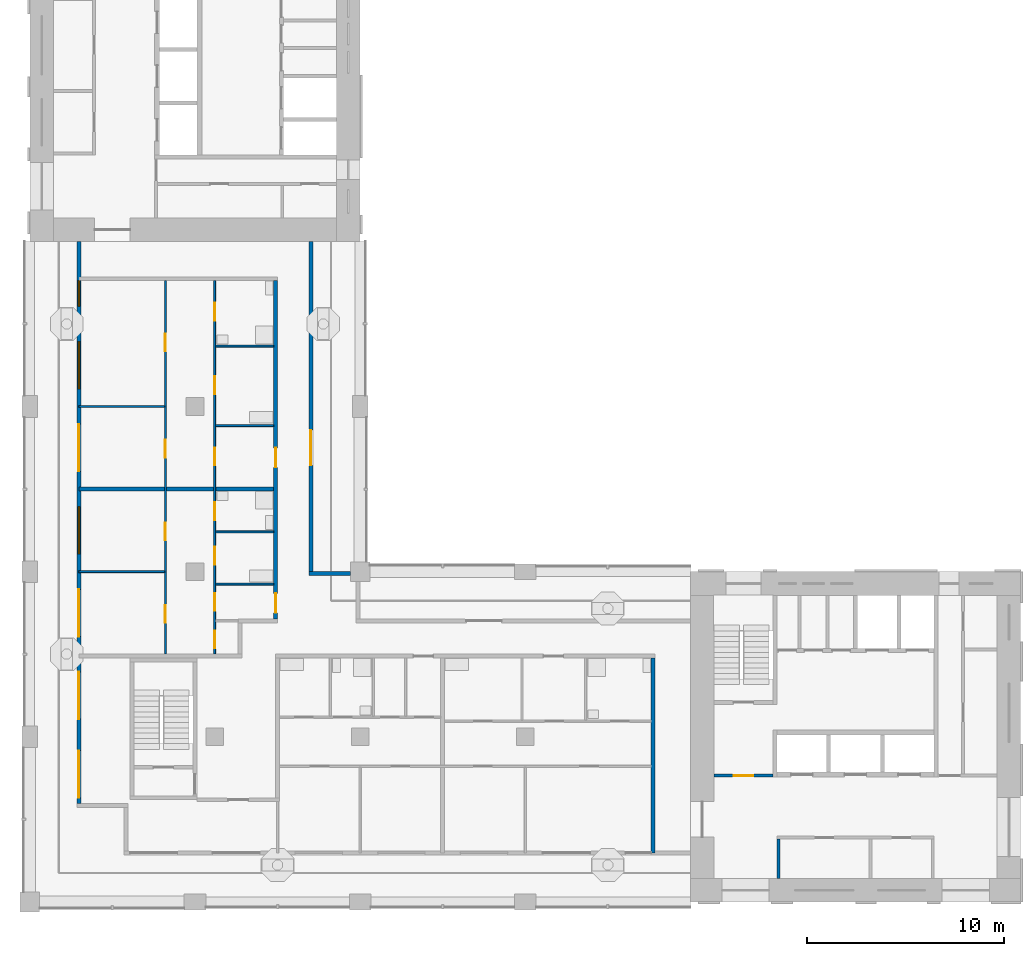
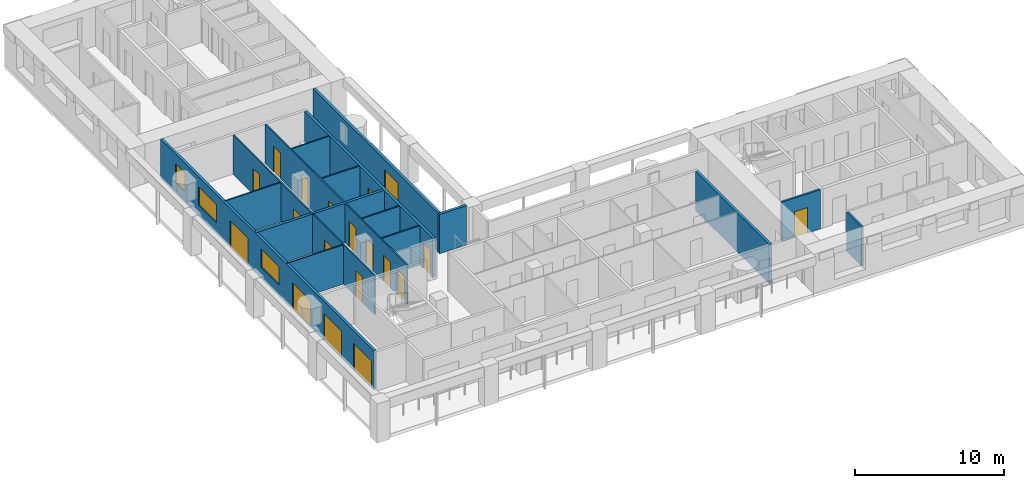
# One storey, part 3 of 12: 19 doors, 16 walls, 3 windows, 22 openings.
"""IFC4 building model written with IfcOpenShell, lengths in metres."""

import ifcopenshell
import ifcopenshell.guid

model = None  # the IFC model being written
_history = None  # IfcOwnerHistory: only IFC2X3 demands one
_inside = {}  # id of a spatial element -> (the spatial element, [elements in it])
_under = {}  # id of a project, library or spatial element -> (it, [spatial elements below it])
_declared = {}  # id of a project -> (the project, [libraries it declares])
_typed = {}  # id of a type object -> (the type object, [elements of that type])
_made_of = {}  # id of a material, layer set ... -> (it, [elements and type objects made of it])


def new_model(schema):
    """Start an empty IFC model of exactly this schema.

    Asked for "IFC4X3", IfcOpenShell would pick the latest addendum, in which some entities
    have other attributes; the version numbers below select the first issue.
    IFC2X3 requires an IfcOwnerHistory on every rooted entity: one is made here for all.
    """
    global model, _history
    if schema == "IFC4X3":
        model = ifcopenshell.file(schema_version=(4, 3, 0, 0))
    else:
        model = ifcopenshell.file(schema=schema)
    _inside.clear()
    _under.clear()
    _declared.clear()
    _typed.clear()
    _made_of.clear()
    _history = None
    if model.schema == "IFC2X3":
        org = make("IfcOrganization", Name="unknown")
        user = make(
            "IfcPersonAndOrganization",
            ThePerson=make("IfcPerson", FamilyName="unknown"),
            TheOrganization=org,
        )
        app = make(
            "IfcApplication",
            ApplicationDeveloper=org,
            Version="unknown",
            ApplicationFullName="unknown",
            ApplicationIdentifier="unknown",
        )
        _history = make(
            "IfcOwnerHistory",
            OwningUser=user,
            OwningApplication=app,
            ChangeAction="ADDED",
            CreationDate=0,
        )
    return model


def make(cls, **values):
    """One entity of the class cls with the attributes given. An attribute that is None is left unset."""
    return model.create_entity(
        cls, **{name: value for name, value in values.items() if value is not None}
    )


def rooted(cls, **values):
    """An entity with a GlobalId (a new one), such as an element, a storey or a relation."""
    return make(cls, GlobalId=ifcopenshell.guid.new(), OwnerHistory=_history, **values)


def si_unit(unit_type, name, prefix=None):
    """IfcSIUnit, for example si_unit("LENGTHUNIT", "METRE", prefix="MILLI")."""
    return make("IfcSIUnit", UnitType=unit_type, Prefix=prefix, Name=name)


def assignment(units):
    """IfcUnitAssignment: the units of a project."""
    return None if units is None else make("IfcUnitAssignment", Units=units)


def point(xyz):
    """IfcCartesianPoint."""
    return None if xyz is None else make("IfcCartesianPoint", Coordinates=xyz)


def direction(xyz):
    """IfcDirection."""
    return None if xyz is None else make("IfcDirection", DirectionRatios=xyz)


def frame(location, z_axis=None, x_axis=None):
    """IfcAxis2Placement3D, a coordinate frame: its origin and axes. An axis left out is left unset."""
    return make(
        "IfcAxis2Placement3D",
        Location=point(location),
        Axis=direction(z_axis),
        RefDirection=direction(x_axis),
    )


def frame_2d(location, x_axis=None):
    """IfcAxis2Placement2D, a coordinate frame in the plane: its origin and x axis."""
    return make(
        "IfcAxis2Placement2D", Location=point(location), RefDirection=direction(x_axis)
    )


def origin():
    """The frame at (0, 0, 0) with its axes left unset."""
    return frame((0.0, 0.0, 0.0))


def place(relative_to, where):
    """IfcLocalPlacement: puts the frame where relative to a parent placement (None: the world)."""
    return make(
        "IfcLocalPlacement", PlacementRelTo=relative_to, RelativePlacement=where
    )


def context(
    kind, dimensions, precision=None, world=None, true_north=None, identifier=None
):
    """IfcGeometricRepresentationContext, for example the 3D "Model" context."""
    return make(
        "IfcGeometricRepresentationContext",
        ContextIdentifier=identifier,
        ContextType=kind,
        CoordinateSpaceDimension=dimensions,
        Precision=precision,
        WorldCoordinateSystem=world,
        TrueNorth=true_north,
    )


def subcontext(parent, identifier, kind, view, scale=None):
    """IfcGeometricRepresentationSubContext, for example "Body" below "Model"."""
    return make(
        "IfcGeometricRepresentationSubContext",
        ContextIdentifier=identifier,
        ContextType=kind,
        ParentContext=parent,
        TargetScale=scale,
        TargetView=view,
    )


def project(units=None, contexts=None):
    """IfcProject with its units and contexts."""
    return rooted(
        "IfcProject",
        Name="project",
        RepresentationContexts=contexts,
        UnitsInContext=assignment(units),
    )


def spatial(cls, under=None, at=None, **own):
    """A site, building, storey or space (cls), placed at a placement, below another one or the project."""
    s = rooted(cls, ObjectPlacement=at, **own)
    if under is not None:
        _under.setdefault(under.id(), (under, []))[1].append(s)
    return s


def profile(cls, at=None, kind="AREA", **sizes):
    """A parametric profile (cls). Its sizes go by their IFC names, for example OverallWidth=200.0."""
    return make(cls, ProfileType=kind, Position=at, **sizes)


def rectangle(**sizes):
    """IfcRectangleProfileDef."""
    return profile("IfcRectangleProfileDef", **sizes)


def extrude(swept, where, along, depth):
    """IfcExtrudedAreaSolid: the profile swept, set in the frame where, extruded along a direction by depth."""
    return make(
        "IfcExtrudedAreaSolid",
        SweptArea=swept,
        Position=where,
        ExtrudedDirection=direction(along),
        Depth=depth,
    )


def shape(context_of_items, identifier, shape_type, items):
    """IfcShapeRepresentation: the items that make up one representation, for example the "Body"."""
    return make(
        "IfcShapeRepresentation",
        ContextOfItems=context_of_items,
        RepresentationIdentifier=identifier,
        RepresentationType=shape_type,
        Items=items,
    )


def material(Name=None, Category=None):
    """IfcMaterial."""
    return make("IfcMaterial", Name=Name, Category=Category)


def layer(
    of_material, thickness, ventilated=None, Name=None, Category=None, Priority=None
):
    """IfcMaterialLayer: one layer of a wall or slab, of a material (None: an air gap)."""
    return make(
        "IfcMaterialLayer",
        Material=of_material,
        LayerThickness=thickness,
        IsVentilated=ventilated,
        Name=Name,
        Category=Category,
        Priority=Priority,
    )


def layer_set(layers, Name=None):
    """IfcMaterialLayerSet."""
    return make("IfcMaterialLayerSet", MaterialLayers=layers, LayerSetName=Name)


def made_of(thing, what):
    """Note that an element or type object is made of a material, layer set ...; save() writes the relation."""
    if what is not None:
        _made_of.setdefault(what.id(), (what, []))[1].append(thing)
    return thing


def type_object(cls, material=None, **own):
    """A type object (cls), such as IfcWallType, which elements share."""
    return made_of(rooted(cls, **own), material)


def element(
    cls,
    number,
    at=None,
    inside=None,
    cuts=None,
    type_object=None,
    material=None,
    context=None,
    identifier="Body",
    shape_type=None,
    held_by="IfcProductDefinitionShape",
    body=None,
    shapes=None,
    **own,
):
    """One element of the class cls, such as IfcWall. Its Tag is "e" and its number.

    at: its placement. inside: the storey or other place that contains it. cuts: it is an
    opening in that element (IfcRelVoidsElement). A single representation is given by context,
    identifier, shape_type and body (its items); several are given by shapes. held_by: the class
    of the entity that holds the representations. save() writes the other relations.
    """
    e = rooted(cls, Tag="e%d" % number, ObjectPlacement=at, **own)
    if body is not None:
        shapes = [shape(context, identifier, shape_type, body)]
    if shapes is not None:
        e.Representation = make(held_by, Representations=shapes)
    if inside is not None:
        _inside.setdefault(inside.id(), (inside, []))[1].append(e)
    if cuts is not None:
        rooted(
            "IfcRelVoidsElement", RelatingBuildingElement=cuts, RelatedOpeningElement=e
        )
    if type_object is not None:
        _typed.setdefault(type_object.id(), (type_object, []))[1].append(e)
    return made_of(e, material)


def fill(opening, filler):
    """IfcRelFillsElement: the door or window that sits in an opening."""
    return rooted(
        "IfcRelFillsElement",
        RelatingOpeningElement=opening,
        RelatedBuildingElement=filler,
    )


def aggregate(whole, parts):
    """IfcRelAggregates: a whole, such as a stair, and the parts it consists of."""
    return rooted("IfcRelAggregates", RelatingObject=whole, RelatedObjects=parts)


def save(model, path):
    """Write the relations noted so far, then the file.

    IfcRelAggregates (storeys below a building ...), IfcRelContainedInSpatialStructure (elements
    in a storey), IfcRelDefinesByType, IfcRelAssociatesMaterial and IfcRelDeclares: one each for
    every whole, place, type object, material and project.
    """
    for whole, parts in _under.values():
        aggregate(whole, parts)
    for where, things in _inside.values():
        rooted(
            "IfcRelContainedInSpatialStructure",
            RelatedElements=things,
            RelatingStructure=where,
        )
    for kind, things in _typed.values():
        rooted("IfcRelDefinesByType", RelatedObjects=things, RelatingType=kind)
    for what, things in _made_of.values():
        rooted("IfcRelAssociatesMaterial", RelatedObjects=things, RelatingMaterial=what)
    for by, libraries in _declared.values():
        rooted("IfcRelDeclares", RelatingContext=by, RelatedDefinitions=libraries)
    model.write(path)


model = new_model("IFC4")

# Units and contexts
model_context = context("Model", 3, precision=1e-05, world=origin(), true_north=direction((0.0, 1.0)))
body_context = subcontext(model_context, "Body", "Model", "MODEL_VIEW")
ifc_project = project(units=[si_unit("LENGTHUNIT", "METRE"), si_unit("AREAUNIT", "SQUARE_METRE"), si_unit("VOLUMEUNIT", "CUBIC_METRE"), si_unit("PLANEANGLEUNIT", "RADIAN"), si_unit("MASSUNIT", "GRAM", prefix="KILO")], contexts=[model_context])

# Site, building, storey
site_placement = place(None, origin())
site = spatial("IfcSite", under=ifc_project, at=site_placement, CompositionType="ELEMENT")
building_placement = place(site_placement, origin())
building = spatial("IfcBuilding", under=site, at=building_placement, Name="Vermilion Gate Residences", CompositionType="ELEMENT")
storey_placement = place(building_placement, frame((0.0, 0.0, 221.199951171875)))
storey = spatial("IfcBuildingStorey", under=building, at=storey_placement, Name="L57", CompositionType="ELEMENT", Elevation=221.199951171875)

# Wall
ifc_material_1 = material(Name="Masonry blockwork", Category="masonry")
ifc_layer_1 = layer(ifc_material_1, 0.14990234375)
ifc_layer_set_1 = layer_set([ifc_layer_1], Name="BLOCKWORK PARTITION 150 EI 120")
wall_type_1 = type_object("IfcWallType", Name="BLOCKWORK PARTITION 150 EI 120", PredefinedType="PARTITIONING", material=ifc_layer_set_1)
wall_1_placement = place(storey_placement, frame((46.47509765625, 9.60009765625, 0.0), z_axis=(0.0, 0.0, 1.0), x_axis=(0.0, 1.0, 0.0)))
element("IfcWall", 1, at=wall_1_placement, inside=storey, type_object=wall_type_1, Name="Core room partition A57-RW-W", PredefinedType="PARTITIONING", context=body_context, shape_type="SweptSolid", body=[
    extrude(rectangle(XDim=2.0, YDim=0.14990234375, at=frame_2d((1.0, 0.0))), origin(), (0.0, 0.0, 1.0), 3.219970703125),
])

# Wall, opening, door
wall_2_placement = place(storey_placement, frame((43.199951171875, 14.824951171875, 0.0), z_axis=(0.0, 0.0, 1.0), x_axis=(1.0, 0.0, 0.0)))
wall_2 = element("IfcWall", 2, at=wall_2_placement, inside=storey, type_object=wall_type_1, Name="Core room partition A57-VW-S", PredefinedType="PARTITIONING", context=body_context, shape_type="SweptSolid", body=[
    extrude(rectangle(XDim=3.0, YDim=0.14990234375, at=frame_2d((1.5, 0.0))), origin(), (0.0, 0.0, 1.0), 3.219970703125),
])
opening_1_placement = place(wall_2_placement, frame((1.0, 0.0, 0.0)))
opening_1 = element("IfcOpeningElement", 3, at=opening_1_placement, cuts=wall_2, Name="Opening DK57012", PredefinedType="OPENING", context=body_context, shape_type="SweptSolid", body=[
    extrude(rectangle(XDim=1.0, YDim=2.10009765625, at=frame_2d((0.5, 1.050048828125))), frame((0.0, 0.0849609375, 0.0), z_axis=(0.0, -1.0, 0.0), x_axis=(1.0, 0.0, 0.0)), (0.0, 0.0, 1.0), 0.169921875),
])
ifc_material_2 = material(Name="Steel", Category="steel")
door_type_1 = type_object("IfcDoorType", Name="FIRE DOOR FD60 1000 X 2100", OperationType="SINGLE_SWING_LEFT", PredefinedType="DOOR", material=ifc_material_2)
door_1_placement = place(opening_1_placement, frame((1.0, 0.0, 0.0), z_axis=(0.0, 0.0, 1.0), x_axis=(-1.0, 0.0, 0.0)))
door_1 = element("IfcDoor", 4, at=door_1_placement, inside=storey, type_object=door_type_1, Name="Stair vestibule door A57", OperationType="SINGLE_SWING_RIGHT", OverallHeight=2.10009765625, OverallWidth=1.0, PredefinedType="DOOR", context=body_context, shape_type="SweptSolid", body=[
    extrude(rectangle(XDim=1.0, YDim=2.10009765625, at=frame_2d((0.5, 1.050048828125))), frame((0.0, 0.02490234375, 0.0), z_axis=(0.0, -1.0, 0.0), x_axis=(1.0, 0.0, 0.0)), (0.0, 0.0, 1.0), 0.050048828125),
])
fill(opening_1, door_1)

# Wall, openings, doors, windows
ifc_material_3 = material(Name="Insulated steel stud wall with terracotta rainscreen", Category="masonry")
ifc_layer_2 = layer(ifc_material_3, 0.199951171875)
ifc_layer_set_2 = layer_set([ifc_layer_2], Name="EXTERNAL WALL 200 TERRACOTTA RAINSCREEN")
wall_type_2 = type_object("IfcWallType", Name="EXTERNAL WALL 200 TERRACOTTA RAINSCREEN", PredefinedType="SOLIDWALL", material=ifc_layer_set_2)
wall_3_placement = place(storey_placement, frame((10.89990234375, 42.0, 0.0), z_axis=(0.0, 0.0, 1.0), x_axis=(0.0, -1.0, 0.0)))
wall_3 = element("IfcWall", 5, at=wall_3_placement, inside=storey, type_object=wall_type_2, Name="External wall", PredefinedType="SOLIDWALL", context=body_context, shape_type="SweptSolid", body=[
    extrude(rectangle(XDim=28.60009765625, YDim=0.199951171875, at=frame_2d((14.300048828125, 0.0))), origin(), (0.0, 0.0, 1.0), 3.219970703125),
])
opening_2_placement = place(wall_3_placement, frame((25.89990234375, 0.0, 0.0)))
opening_2 = element("IfcOpeningElement", 6, at=opening_2_placement, cuts=wall_3, Name="Opening DE57001", PredefinedType="OPENING", context=body_context, shape_type="SweptSolid", body=[
    extrude(rectangle(XDim=2.39990234375, YDim=2.199951171875, at=frame_2d((1.199951171875, 1.10009765625))), frame((0.0, 0.10986328125, 0.0), z_axis=(0.0, -1.0, 0.0), x_axis=(1.0, 0.0, 0.0)), (0.0, 0.0, 1.0), 0.219970703125),
])
opening_3_placement = place(wall_3_placement, frame((21.89990234375, 0.0, 0.0)))
opening_3 = element("IfcOpeningElement", 7, at=opening_3_placement, cuts=wall_3, Name="Opening DE57002", PredefinedType="OPENING", context=body_context, shape_type="SweptSolid", body=[
    extrude(rectangle(XDim=2.39990234375, YDim=2.199951171875, at=frame_2d((1.199951171875, 1.10009765625))), frame((0.0, 0.10986328125, 0.0), z_axis=(0.0, -1.0, 0.0), x_axis=(1.0, 0.0, 0.0)), (0.0, 0.0, 1.0), 0.219970703125),
])
opening_4_placement = place(wall_3_placement, frame((17.699951171875, 0.0, 0.0)))
opening_4 = element("IfcOpeningElement", 8, at=opening_4_placement, cuts=wall_3, Name="Opening DE57003", PredefinedType="OPENING", context=body_context, shape_type="SweptSolid", body=[
    extrude(rectangle(XDim=2.39990234375, YDim=2.199951171875, at=frame_2d((1.199951171875, 1.10009765625))), frame((0.0, 0.10986328125, 0.0), z_axis=(0.0, -1.0, 0.0), x_axis=(1.0, 0.0, 0.0)), (0.0, 0.0, 1.0), 0.219970703125),
])
opening_5_placement = place(wall_3_placement, frame((13.5, 0.0, 0.89990234375)))
opening_5 = element("IfcOpeningElement", 9, at=opening_5_placement, cuts=wall_3, Name="Opening WE57004", PredefinedType="OPENING", context=body_context, shape_type="SweptSolid", body=[
    extrude(rectangle(XDim=2.39990234375, YDim=1.5, at=frame_2d((1.199951171875, 0.75))), frame((0.0, 0.10986328125, 0.0), z_axis=(0.0, -1.0, 0.0), x_axis=(1.0, 0.0, 0.0)), (0.0, 0.0, 1.0), 0.219970703125),
])
opening_6_placement = place(wall_3_placement, frame((9.300048828125, 0.0, 0.0)))
opening_6 = element("IfcOpeningElement", 10, at=opening_6_placement, cuts=wall_3, Name="Opening DE57005", PredefinedType="OPENING", context=body_context, shape_type="SweptSolid", body=[
    extrude(rectangle(XDim=2.39990234375, YDim=2.199951171875, at=frame_2d((1.199951171875, 1.10009765625))), frame((0.0, 0.10986328125, 0.0), z_axis=(0.0, -1.0, 0.0), x_axis=(1.0, 0.0, 0.0)), (0.0, 0.0, 1.0), 0.219970703125),
])
opening_7_placement = place(wall_3_placement, frame((5.10009765625, 0.0, 0.89990234375)))
opening_7 = element("IfcOpeningElement", 11, at=opening_7_placement, cuts=wall_3, Name="Opening WE57006", PredefinedType="OPENING", context=body_context, shape_type="SweptSolid", body=[
    extrude(rectangle(XDim=2.39990234375, YDim=1.5, at=frame_2d((1.199951171875, 0.75))), frame((0.0, 0.10986328125, 0.0), z_axis=(0.0, -1.0, 0.0), x_axis=(1.0, 0.0, 0.0)), (0.0, 0.0, 1.0), 0.219970703125),
])
opening_8_placement = place(wall_3_placement, frame((2.0, 0.0, 0.89990234375)))
opening_8 = element("IfcOpeningElement", 12, at=opening_8_placement, cuts=wall_3, Name="Opening WE57007", PredefinedType="OPENING", context=body_context, shape_type="SweptSolid", body=[
    extrude(rectangle(XDim=1.300048828125, YDim=1.5, at=frame_2d((0.64990234375, 0.75))), frame((0.0, 0.10986328125, 0.0), z_axis=(0.0, -1.0, 0.0), x_axis=(1.0, 0.0, 0.0)), (0.0, 0.0, 1.0), 0.219970703125),
])
ifc_material_4 = material(Name="Aluminium and clear glass", Category="aluminium")
door_type_2 = type_object("IfcDoorType", Name="SLIDING GLAZED DOOR 2400 X 2200", OperationType="DOUBLE_DOOR_SLIDING", PredefinedType="DOOR", material=ifc_material_4)
door_2_placement = place(opening_2_placement, origin())
door_2 = element("IfcDoor", 13, at=door_2_placement, inside=storey, type_object=door_type_2, Name="Loggia sliding door", OperationType="DOUBLE_DOOR_SLIDING", OverallHeight=2.199951171875, OverallWidth=2.39990234375, PredefinedType="DOOR", context=body_context, shape_type="SweptSolid", body=[
    extrude(rectangle(XDim=2.39990234375, YDim=2.199951171875, at=frame_2d((1.199951171875, 1.10009765625))), frame((0.0, 0.02490234375, 0.0), z_axis=(0.0, -1.0, 0.0), x_axis=(1.0, 0.0, 0.0)), (0.0, 0.0, 1.0), 0.050048828125),
])
fill(opening_2, door_2)
door_3_placement = place(opening_3_placement, origin())
door_3 = element("IfcDoor", 14, at=door_3_placement, inside=storey, type_object=door_type_2, Name="Loggia sliding door", OperationType="DOUBLE_DOOR_SLIDING", OverallHeight=2.199951171875, OverallWidth=2.39990234375, PredefinedType="DOOR", context=body_context, shape_type="SweptSolid", body=[
    extrude(rectangle(XDim=2.39990234375, YDim=2.199951171875, at=frame_2d((1.199951171875, 1.10009765625))), frame((0.0, 0.02490234375, 0.0), z_axis=(0.0, -1.0, 0.0), x_axis=(1.0, 0.0, 0.0)), (0.0, 0.0, 1.0), 0.050048828125),
])
fill(opening_3, door_3)
door_4_placement = place(opening_4_placement, origin())
door_4 = element("IfcDoor", 15, at=door_4_placement, inside=storey, type_object=door_type_2, Name="Loggia sliding door", OperationType="DOUBLE_DOOR_SLIDING", OverallHeight=2.199951171875, OverallWidth=2.39990234375, PredefinedType="DOOR", context=body_context, shape_type="SweptSolid", body=[
    extrude(rectangle(XDim=2.39990234375, YDim=2.199951171875, at=frame_2d((1.199951171875, 1.10009765625))), frame((0.0, 0.02490234375, 0.0), z_axis=(0.0, -1.0, 0.0), x_axis=(1.0, 0.0, 0.0)), (0.0, 0.0, 1.0), 0.050048828125),
])
fill(opening_4, door_4)
door_5_placement = place(opening_6_placement, origin())
door_5 = element("IfcDoor", 16, at=door_5_placement, inside=storey, type_object=door_type_2, Name="Loggia sliding door", OperationType="DOUBLE_DOOR_SLIDING", OverallHeight=2.199951171875, OverallWidth=2.39990234375, PredefinedType="DOOR", context=body_context, shape_type="SweptSolid", body=[
    extrude(rectangle(XDim=2.39990234375, YDim=2.199951171875, at=frame_2d((1.199951171875, 1.10009765625))), frame((0.0, 0.02490234375, 0.0), z_axis=(0.0, -1.0, 0.0), x_axis=(1.0, 0.0, 0.0)), (0.0, 0.0, 1.0), 0.050048828125),
])
fill(opening_6, door_5)
ifc_material_5 = material(Name="Aluminium and clear glass", Category="aluminium")
window_type_1 = type_object("IfcWindowType", Name="WINDOW 1300 X 1500", PartitioningType="SINGLE_PANEL", PredefinedType="WINDOW", material=ifc_material_5)
window_1_placement = place(opening_8_placement, origin())
window_1 = element("IfcWindow", 17, at=window_1_placement, inside=storey, type_object=window_type_1, Name="Window", OverallHeight=1.5, OverallWidth=1.300048828125, PartitioningType="SINGLE_PANEL", PredefinedType="WINDOW", context=body_context, shape_type="SweptSolid", body=[
    extrude(rectangle(XDim=1.300048828125, YDim=1.5, at=frame_2d((0.64990234375, 0.75))), frame((0.0, 0.030029296875, 0.0), z_axis=(0.0, -1.0, 0.0), x_axis=(1.0, 0.0, 0.0)), (0.0, 0.0, 1.0), 0.06005859375),
])
fill(opening_8, window_1)
ifc_material_6 = material(Name="Aluminium and clear glass", Category="aluminium")
window_type_2 = type_object("IfcWindowType", Name="WINDOW 2400 X 1500", PartitioningType="SINGLE_PANEL", PredefinedType="WINDOW", material=ifc_material_6)
window_2_placement = place(opening_5_placement, origin())
window_2 = element("IfcWindow", 18, at=window_2_placement, inside=storey, type_object=window_type_2, Name="Window", OverallHeight=1.5, OverallWidth=2.39990234375, PartitioningType="SINGLE_PANEL", PredefinedType="WINDOW", context=body_context, shape_type="SweptSolid", body=[
    extrude(rectangle(XDim=2.39990234375, YDim=1.5, at=frame_2d((1.199951171875, 0.75))), frame((0.0, 0.030029296875, 0.0), z_axis=(0.0, -1.0, 0.0), x_axis=(1.0, 0.0, 0.0)), (0.0, 0.0, 1.0), 0.06005859375),
])
fill(opening_5, window_2)
window_3_placement = place(opening_7_placement, origin())
window_3 = element("IfcWindow", 19, at=window_3_placement, inside=storey, type_object=window_type_2, Name="Window", OverallHeight=1.5, OverallWidth=2.39990234375, PartitioningType="SINGLE_PANEL", PredefinedType="WINDOW", context=body_context, shape_type="SweptSolid", body=[
    extrude(rectangle(XDim=2.39990234375, YDim=1.5, at=frame_2d((1.199951171875, 0.75))), frame((0.0, 0.030029296875, 0.0), z_axis=(0.0, -1.0, 0.0), x_axis=(1.0, 0.0, 0.0)), (0.0, 0.0, 1.0), 0.06005859375),
])
fill(opening_7, window_3)

# Wall
wall_4_placement = place(storey_placement, frame((24.699951171875, 25.10009765625, 0.0), z_axis=(0.0, 0.0, 1.0), x_axis=(-1.0, 0.0, 0.0)))
element("IfcWall", 20, at=wall_4_placement, inside=storey, type_object=wall_type_2, Name="External wall", PredefinedType="SOLIDWALL", context=body_context, shape_type="SweptSolid", body=[
    extrude(rectangle(XDim=2.099853515625, YDim=0.199951171875, at=frame_2d((1.0498046875, 0.0))), origin(), (0.0, 0.0, 1.0), 3.219970703125),
])

# Wall, opening, door
wall_5_placement = place(storey_placement, frame((22.699951171875, 25.199951171875, 0.0), z_axis=(0.0, 0.0, 1.0), x_axis=(0.0, 1.0, 0.0)))
wall_5 = element("IfcWall", 21, at=wall_5_placement, inside=storey, type_object=wall_type_2, Name="External wall", PredefinedType="SOLIDWALL", context=body_context, shape_type="SweptSolid", body=[
    extrude(rectangle(XDim=16.800048828125, YDim=0.199951171875, at=frame_2d((8.39990234375, 0.0))), origin(), (0.0, 0.0, 1.0), 3.219970703125),
])
opening_9_placement = place(wall_5_placement, frame((5.39990234375, 0.0, 0.0)))
opening_9 = element("IfcOpeningElement", 22, at=opening_9_placement, cuts=wall_5, Name="Opening DE57016", PredefinedType="OPENING", context=body_context, shape_type="SweptSolid", body=[
    extrude(rectangle(XDim=1.800048828125, YDim=2.39990234375, at=frame_2d((0.89990234375, 1.199951171875))), frame((0.0, 0.10986328125, 0.0), z_axis=(0.0, -1.0, 0.0), x_axis=(1.0, 0.0, 0.0)), (0.0, 0.0, 1.0), 0.219970703125),
])
ifc_material_7 = material(Name="Aluminium and clear glass", Category="aluminium")
door_type_3 = type_object("IfcDoorType", Name="GLAZED EXTERNAL DOOR 1800 X 2400", OperationType="DOUBLE_DOOR_SINGLE_SWING", PredefinedType="DOOR", material=ifc_material_7)
door_6_placement = place(opening_9_placement, frame((1.800048828125, 0.0, 0.0), z_axis=(0.0, 0.0, 1.0), x_axis=(-1.0, 0.0, 0.0)))
door_6 = element("IfcDoor", 23, at=door_6_placement, inside=storey, type_object=door_type_3, Name="Gallery door", OperationType="DOUBLE_DOOR_SINGLE_SWING", OverallHeight=2.39990234375, OverallWidth=1.800048828125, PredefinedType="DOOR", context=body_context, shape_type="SweptSolid", body=[
    extrude(rectangle(XDim=1.800048828125, YDim=2.39990234375, at=frame_2d((0.89990234375, 1.199951171875))), frame((0.0, 0.02490234375, 0.0), z_axis=(0.0, -1.0, 0.0), x_axis=(1.0, 0.0, 0.0)), (0.0, 0.0, 1.0), 0.050048828125),
])
fill(opening_9, door_6)

# Walls
ifc_material_8 = material(Name="Plasterboard on steel studs", Category="steel")
ifc_layer_3 = layer(ifc_material_8, 0.10009765625)
ifc_layer_set_3 = layer_set([ifc_layer_3], Name="PARTITION 100")
wall_type_3 = type_object("IfcWallType", Name="PARTITION 100", PredefinedType="PARTITIONING", material=ifc_layer_set_3)
wall_6_placement = place(storey_placement, frame((17.85009765625, 24.56298828125, 0.0), z_axis=(0.0, 0.0, 1.0), x_axis=(1.0, 0.0, 0.0)))
element("IfcWall", 24, at=wall_6_placement, inside=storey, type_object=wall_type_3, Name="Partition", PredefinedType="PARTITIONING", context=body_context, shape_type="SweptSolid", body=[
    extrude(rectangle(XDim=2.949951171875, YDim=0.10009765625, at=frame_2d((1.47509765625, 0.0))), origin(), (0.0, 0.0, 1.0), 3.219970703125),
])
wall_7_placement = place(storey_placement, frame((10.89990234375, 25.199951171875, 0.0), z_axis=(0.0, 0.0, 1.0), x_axis=(1.0, 0.0, 0.0)))
element("IfcWall", 25, at=wall_7_placement, inside=storey, type_object=wall_type_3, Name="Partition", PredefinedType="PARTITIONING", context=body_context, shape_type="SweptSolid", body=[
    extrude(rectangle(XDim=4.35009765625, YDim=0.10009765625, at=frame_2d((2.175048828125, 0.0))), origin(), (0.0, 0.0, 1.0), 3.219970703125),
])
for number, where, z_axis, x_axis, name in (
    (26, (17.85009765625, 27.22509765625, 0.0), (0.0, 0.0, 1.0), (1.0, 0.0, 0.0), "Partition"),
    (27, (17.85009765625, 32.633056640625, 0.0), (0.0, 0.0, 1.0), (1.0, 0.0, 0.0), "Partition"),
):
    element("IfcWall", number, at=place(storey_placement, frame(where, z_axis=z_axis, x_axis=x_axis)), inside=storey, type_object=wall_type_3, Name=name, PredefinedType="PARTITIONING", context=body_context, shape_type="SweptSolid", body=[
        extrude(rectangle(XDim=2.949951171875, YDim=0.10009765625, at=frame_2d((1.47509765625, 0.0))), origin(), (0.0, 0.0, 1.0), 3.219970703125),
    ])
wall_8_placement = place(storey_placement, frame((10.89990234375, 33.60009765625, 0.0), z_axis=(0.0, 0.0, 1.0), x_axis=(1.0, 0.0, 0.0)))
element("IfcWall", 28, at=wall_8_placement, inside=storey, type_object=wall_type_3, Name="Partition", PredefinedType="PARTITIONING", context=body_context, shape_type="SweptSolid", body=[
    extrude(rectangle(XDim=4.35009765625, YDim=0.10009765625, at=frame_2d((2.175048828125, 0.0))), origin(), (0.0, 0.0, 1.0), 3.219970703125),
])
wall_9_placement = place(storey_placement, frame((17.85009765625, 36.6669921875, 0.0), z_axis=(0.0, 0.0, 1.0), x_axis=(1.0, 0.0, 0.0)))
element("IfcWall", 29, at=wall_9_placement, inside=storey, type_object=wall_type_3, Name="Partition", PredefinedType="PARTITIONING", context=body_context, shape_type="SweptSolid", body=[
    extrude(rectangle(XDim=2.949951171875, YDim=0.10009765625, at=frame_2d((1.47509765625, 0.0))), origin(), (0.0, 0.0, 1.0), 3.219970703125),
])

# Wall, openings, doors
wall_10_placement = place(storey_placement, frame((15.300048828125, 21.0, 0.0), z_axis=(0.0, 0.0, 1.0), x_axis=(0.0, 1.0, 0.0)))
wall_10 = element("IfcWall", 30, at=wall_10_placement, inside=storey, type_object=wall_type_3, Name="Partition", PredefinedType="PARTITIONING", context=body_context, shape_type="SweptSolid", body=[
    extrude(rectangle(XDim=19.0, YDim=0.10009765625, at=frame_2d((9.5, 0.0))), origin(), (0.0, 0.0, 1.0), 3.219970703125),
])
opening_10_placement = place(wall_10_placement, frame((1.60009765625, 0.0, 0.0)))
opening_10 = element("IfcOpeningElement", 31, at=opening_10_placement, cuts=wall_10, Name="Opening DA55015", PredefinedType="OPENING", context=body_context, shape_type="SweptSolid", body=[
    extrude(rectangle(XDim=0.89990234375, YDim=2.10009765625, at=frame_2d((0.449951171875, 1.050048828125))), frame((0.0, 0.06005859375, 0.0), z_axis=(0.0, -1.0, 0.0), x_axis=(1.0, 0.0, 0.0)), (0.0, 0.0, 1.0), 0.1201171875),
])
opening_11_placement = place(wall_10_placement, frame((5.800048828125, 0.0, 0.0)))
opening_11 = element("IfcOpeningElement", 32, at=opening_11_placement, cuts=wall_10, Name="Opening DA55016", PredefinedType="OPENING", context=body_context, shape_type="SweptSolid", body=[
    extrude(rectangle(XDim=0.89990234375, YDim=2.10009765625, at=frame_2d((0.449951171875, 1.050048828125))), frame((0.0, 0.06005859375, 0.0), z_axis=(0.0, -1.0, 0.0), x_axis=(1.0, 0.0, 0.0)), (0.0, 0.0, 1.0), 0.1201171875),
])
opening_12_placement = place(wall_10_placement, frame((10.0, 0.0, 0.0)))
opening_12 = element("IfcOpeningElement", 33, at=opening_12_placement, cuts=wall_10, Name="Opening DA55017", PredefinedType="OPENING", context=body_context, shape_type="SweptSolid", body=[
    extrude(rectangle(XDim=0.89990234375, YDim=2.10009765625, at=frame_2d((0.449951171875, 1.050048828125))), frame((0.0, 0.06005859375, 0.0), z_axis=(0.0, -1.0, 0.0), x_axis=(1.0, 0.0, 0.0)), (0.0, 0.0, 1.0), 0.1201171875),
])
opening_13_placement = place(wall_10_placement, frame((15.39990234375, 0.0, 0.0)))
opening_13 = element("IfcOpeningElement", 34, at=opening_13_placement, cuts=wall_10, Name="Opening DA55018", PredefinedType="OPENING", context=body_context, shape_type="SweptSolid", body=[
    extrude(rectangle(XDim=0.89990234375, YDim=2.10009765625, at=frame_2d((0.449951171875, 1.050048828125))), frame((0.0, 0.06005859375, 0.0), z_axis=(0.0, -1.0, 0.0), x_axis=(1.0, 0.0, 0.0)), (0.0, 0.0, 1.0), 0.1201171875),
])
ifc_material_9 = material(Name="Timber", Category="wood")
door_type_4 = type_object("IfcDoorType", Name="INTERIOR DOOR 900 X 2100", OperationType="SINGLE_SWING_LEFT", PredefinedType="DOOR", material=ifc_material_9)
door_7_placement = place(opening_10_placement, origin())
door_7 = element("IfcDoor", 35, at=door_7_placement, inside=storey, type_object=door_type_4, Name="Interior door", OperationType="SINGLE_SWING_LEFT", OverallHeight=2.10009765625, OverallWidth=0.89990234375, PredefinedType="DOOR", context=body_context, shape_type="SweptSolid", body=[
    extrude(rectangle(XDim=0.89990234375, YDim=2.10009765625, at=frame_2d((0.449951171875, 1.050048828125))), frame((0.0, 0.02490234375, 0.0), z_axis=(0.0, -1.0, 0.0), x_axis=(1.0, 0.0, 0.0)), (0.0, 0.0, 1.0), 0.050048828125),
])
fill(opening_10, door_7)
door_8_placement = place(opening_11_placement, origin())
door_8 = element("IfcDoor", 36, at=door_8_placement, inside=storey, type_object=door_type_4, Name="Interior door", OperationType="SINGLE_SWING_LEFT", OverallHeight=2.10009765625, OverallWidth=0.89990234375, PredefinedType="DOOR", context=body_context, shape_type="SweptSolid", body=[
    extrude(rectangle(XDim=0.89990234375, YDim=2.10009765625, at=frame_2d((0.449951171875, 1.050048828125))), frame((0.0, 0.02490234375, 0.0), z_axis=(0.0, -1.0, 0.0), x_axis=(1.0, 0.0, 0.0)), (0.0, 0.0, 1.0), 0.050048828125),
])
fill(opening_11, door_8)
door_9_placement = place(opening_12_placement, origin())
door_9 = element("IfcDoor", 37, at=door_9_placement, inside=storey, type_object=door_type_4, Name="Interior door", OperationType="SINGLE_SWING_LEFT", OverallHeight=2.10009765625, OverallWidth=0.89990234375, PredefinedType="DOOR", context=body_context, shape_type="SweptSolid", body=[
    extrude(rectangle(XDim=0.89990234375, YDim=2.10009765625, at=frame_2d((0.449951171875, 1.050048828125))), frame((0.0, 0.02490234375, 0.0), z_axis=(0.0, -1.0, 0.0), x_axis=(1.0, 0.0, 0.0)), (0.0, 0.0, 1.0), 0.050048828125),
])
fill(opening_12, door_9)
door_10_placement = place(opening_13_placement, origin())
door_10 = element("IfcDoor", 38, at=door_10_placement, inside=storey, type_object=door_type_4, Name="Interior door", OperationType="SINGLE_SWING_RIGHT", OverallHeight=2.10009765625, OverallWidth=0.89990234375, PredefinedType="DOOR", context=body_context, shape_type="SweptSolid", body=[
    extrude(rectangle(XDim=0.89990234375, YDim=2.10009765625, at=frame_2d((0.449951171875, 1.050048828125))), frame((0.0, 0.02490234375, 0.0), z_axis=(0.0, -1.0, 0.0), x_axis=(1.0, 0.0, 0.0)), (0.0, 0.0, 1.0), 0.050048828125),
])
fill(opening_13, door_10)

wall_11_placement = place(storey_placement, frame((17.800048828125, 21.0, 0.0), z_axis=(0.0, 0.0, 1.0), x_axis=(0.0, 1.0, 0.0)))
wall_11 = element("IfcWall", 39, at=wall_11_placement, inside=storey, type_object=wall_type_3, Name="Partition", PredefinedType="PARTITIONING", context=body_context, shape_type="SweptSolid", body=[
    extrude(rectangle(XDim=19.0, YDim=0.10009765625, at=frame_2d((9.5, 0.0))), origin(), (0.0, 0.0, 1.0), 3.219970703125),
])
opening_14_placement = place(wall_11_placement, frame((2.199951171875, 0.0, 0.0)))
opening_14 = element("IfcOpeningElement", 40, at=opening_14_placement, cuts=wall_11, Name="Opening DA55019", PredefinedType="OPENING", context=body_context, shape_type="SweptSolid", body=[
    extrude(rectangle(XDim=0.89990234375, YDim=2.10009765625, at=frame_2d((0.449951171875, 1.050048828125))), frame((0.0, 0.06005859375, 0.0), z_axis=(0.0, -1.0, 0.0), x_axis=(1.0, 0.0, 0.0)), (0.0, 0.0, 1.0), 0.1201171875),
])
opening_15_placement = place(wall_11_placement, frame((0.300048828125, 0.0, 0.0)))
opening_15 = element("IfcOpeningElement", 41, at=opening_15_placement, cuts=wall_11, Name="Opening DA55020", PredefinedType="OPENING", context=body_context, shape_type="SweptSolid", body=[
    extrude(rectangle(XDim=0.89990234375, YDim=2.10009765625, at=frame_2d((0.449951171875, 1.050048828125))), frame((0.0, 0.06005859375, 0.0), z_axis=(0.0, -1.0, 0.0), x_axis=(1.0, 0.0, 0.0)), (0.0, 0.0, 1.0), 0.1201171875),
])
opening_16_placement = place(wall_11_placement, frame((4.56298828125, 0.0, 0.0)))
opening_16 = element("IfcOpeningElement", 42, at=opening_16_placement, cuts=wall_11, Name="Opening DA55021", PredefinedType="OPENING", context=body_context, shape_type="SweptSolid", body=[
    extrude(rectangle(XDim=0.89990234375, YDim=2.10009765625, at=frame_2d((0.449951171875, 1.050048828125))), frame((0.0, 0.06005859375, 0.0), z_axis=(0.0, -1.0, 0.0), x_axis=(1.0, 0.0, 0.0)), (0.0, 0.0, 1.0), 0.1201171875),
])
opening_17_placement = place(wall_11_placement, frame((6.824951171875, 0.0, 0.0)))
opening_17 = element("IfcOpeningElement", 43, at=opening_17_placement, cuts=wall_11, Name="Opening DA55022", PredefinedType="OPENING", context=body_context, shape_type="SweptSolid", body=[
    extrude(rectangle(XDim=0.89990234375, YDim=2.10009765625, at=frame_2d((0.449951171875, 1.050048828125))), frame((0.0, 0.06005859375, 0.0), z_axis=(0.0, -1.0, 0.0), x_axis=(1.0, 0.0, 0.0)), (0.0, 0.0, 1.0), 0.1201171875),
])
opening_18_placement = place(wall_11_placement, frame((9.60009765625, 0.0, 0.0)))
opening_18 = element("IfcOpeningElement", 44, at=opening_18_placement, cuts=wall_11, Name="Opening DA55023", PredefinedType="OPENING", context=body_context, shape_type="SweptSolid", body=[
    extrude(rectangle(XDim=0.89990234375, YDim=2.10009765625, at=frame_2d((0.449951171875, 1.050048828125))), frame((0.0, 0.06005859375, 0.0), z_axis=(0.0, -1.0, 0.0), x_axis=(1.0, 0.0, 0.0)), (0.0, 0.0, 1.0), 0.1201171875),
])
opening_19_placement = place(wall_11_placement, frame((13.23291015625, 0.0, 0.0)))
opening_19 = element("IfcOpeningElement", 45, at=opening_19_placement, cuts=wall_11, Name="Opening DA55024", PredefinedType="OPENING", context=body_context, shape_type="SweptSolid", body=[
    extrude(rectangle(XDim=0.89990234375, YDim=2.10009765625, at=frame_2d((0.449951171875, 1.050048828125))), frame((0.0, 0.06005859375, 0.0), z_axis=(0.0, -1.0, 0.0), x_axis=(1.0, 0.0, 0.0)), (0.0, 0.0, 1.0), 0.1201171875),
])
opening_20_placement = place(wall_11_placement, frame((16.967041015625, 0.0, 0.0)))
opening_20 = element("IfcOpeningElement", 46, at=opening_20_placement, cuts=wall_11, Name="Opening DA55025", PredefinedType="OPENING", context=body_context, shape_type="SweptSolid", body=[
    extrude(rectangle(XDim=0.89990234375, YDim=2.10009765625, at=frame_2d((0.449951171875, 1.050048828125))), frame((0.0, 0.06005859375, 0.0), z_axis=(0.0, -1.0, 0.0), x_axis=(1.0, 0.0, 0.0)), (0.0, 0.0, 1.0), 0.1201171875),
])
door_11_placement = place(opening_14_placement, frame((0.89990234375, 0.0, 0.0), z_axis=(0.0, 0.0, 1.0), x_axis=(-1.0, 0.0, 0.0)))
door_11 = element("IfcDoor", 47, at=door_11_placement, inside=storey, type_object=door_type_4, Name="Interior door", OperationType="SINGLE_SWING_LEFT", OverallHeight=2.10009765625, OverallWidth=0.89990234375, PredefinedType="DOOR", context=body_context, shape_type="SweptSolid", body=[
    extrude(rectangle(XDim=0.89990234375, YDim=2.10009765625, at=frame_2d((0.449951171875, 1.050048828125))), frame((0.0, 0.02490234375, 0.0), z_axis=(0.0, -1.0, 0.0), x_axis=(1.0, 0.0, 0.0)), (0.0, 0.0, 1.0), 0.050048828125),
])
fill(opening_14, door_11)
door_12_placement = place(opening_15_placement, frame((0.89990234375, 0.0, 0.0), z_axis=(0.0, 0.0, 1.0), x_axis=(-1.0, 0.0, 0.0)))
door_12 = element("IfcDoor", 48, at=door_12_placement, inside=storey, type_object=door_type_4, Name="Interior door", OperationType="SINGLE_SWING_RIGHT", OverallHeight=2.10009765625, OverallWidth=0.89990234375, PredefinedType="DOOR", context=body_context, shape_type="SweptSolid", body=[
    extrude(rectangle(XDim=0.89990234375, YDim=2.10009765625, at=frame_2d((0.449951171875, 1.050048828125))), frame((0.0, 0.02490234375, 0.0), z_axis=(0.0, -1.0, 0.0), x_axis=(1.0, 0.0, 0.0)), (0.0, 0.0, 1.0), 0.050048828125),
])
fill(opening_15, door_12)
door_13_placement = place(opening_16_placement, frame((0.89990234375, 0.0, 0.0), z_axis=(0.0, 0.0, 1.0), x_axis=(-1.0, 0.0, 0.0)))
door_13 = element("IfcDoor", 49, at=door_13_placement, inside=storey, type_object=door_type_4, Name="Interior door", OperationType="SINGLE_SWING_LEFT", OverallHeight=2.10009765625, OverallWidth=0.89990234375, PredefinedType="DOOR", context=body_context, shape_type="SweptSolid", body=[
    extrude(rectangle(XDim=0.89990234375, YDim=2.10009765625, at=frame_2d((0.449951171875, 1.050048828125))), frame((0.0, 0.02490234375, 0.0), z_axis=(0.0, -1.0, 0.0), x_axis=(1.0, 0.0, 0.0)), (0.0, 0.0, 1.0), 0.050048828125),
])
fill(opening_16, door_13)
door_14_placement = place(opening_17_placement, frame((0.89990234375, 0.0, 0.0), z_axis=(0.0, 0.0, 1.0), x_axis=(-1.0, 0.0, 0.0)))
door_14 = element("IfcDoor", 50, at=door_14_placement, inside=storey, type_object=door_type_4, Name="Interior door", OperationType="SINGLE_SWING_LEFT", OverallHeight=2.10009765625, OverallWidth=0.89990234375, PredefinedType="DOOR", context=body_context, shape_type="SweptSolid", body=[
    extrude(rectangle(XDim=0.89990234375, YDim=2.10009765625, at=frame_2d((0.449951171875, 1.050048828125))), frame((0.0, 0.02490234375, 0.0), z_axis=(0.0, -1.0, 0.0), x_axis=(1.0, 0.0, 0.0)), (0.0, 0.0, 1.0), 0.050048828125),
])
fill(opening_17, door_14)
door_15_placement = place(opening_18_placement, frame((0.89990234375, 0.0, 0.0), z_axis=(0.0, 0.0, 1.0), x_axis=(-1.0, 0.0, 0.0)))
door_15 = element("IfcDoor", 51, at=door_15_placement, inside=storey, type_object=door_type_4, Name="Interior door", OperationType="SINGLE_SWING_LEFT", OverallHeight=2.10009765625, OverallWidth=0.89990234375, PredefinedType="DOOR", context=body_context, shape_type="SweptSolid", body=[
    extrude(rectangle(XDim=0.89990234375, YDim=2.10009765625, at=frame_2d((0.449951171875, 1.050048828125))), frame((0.0, 0.02490234375, 0.0), z_axis=(0.0, -1.0, 0.0), x_axis=(1.0, 0.0, 0.0)), (0.0, 0.0, 1.0), 0.050048828125),
])
fill(opening_18, door_15)
door_16_placement = place(opening_19_placement, frame((0.89990234375, 0.0, 0.0), z_axis=(0.0, 0.0, 1.0), x_axis=(-1.0, 0.0, 0.0)))
door_16 = element("IfcDoor", 52, at=door_16_placement, inside=storey, type_object=door_type_4, Name="Interior door", OperationType="SINGLE_SWING_LEFT", OverallHeight=2.10009765625, OverallWidth=0.89990234375, PredefinedType="DOOR", context=body_context, shape_type="SweptSolid", body=[
    extrude(rectangle(XDim=0.89990234375, YDim=2.10009765625, at=frame_2d((0.449951171875, 1.050048828125))), frame((0.0, 0.02490234375, 0.0), z_axis=(0.0, -1.0, 0.0), x_axis=(1.0, 0.0, 0.0)), (0.0, 0.0, 1.0), 0.050048828125),
])
fill(opening_19, door_16)
door_17_placement = place(opening_20_placement, frame((0.89990234375, 0.0, 0.0), z_axis=(0.0, 0.0, 1.0), x_axis=(-1.0, 0.0, 0.0)))
door_17 = element("IfcDoor", 53, at=door_17_placement, inside=storey, type_object=door_type_4, Name="Interior door", OperationType="SINGLE_SWING_RIGHT", OverallHeight=2.10009765625, OverallWidth=0.89990234375, PredefinedType="DOOR", context=body_context, shape_type="SweptSolid", body=[
    extrude(rectangle(XDim=0.89990234375, YDim=2.10009765625, at=frame_2d((0.449951171875, 1.050048828125))), frame((0.0, 0.02490234375, 0.0), z_axis=(0.0, -1.0, 0.0), x_axis=(1.0, 0.0, 0.0)), (0.0, 0.0, 1.0), 0.050048828125),
])
fill(opening_20, door_17)

# Wall
ifc_material_10 = material(Name="Fire-rated plasterboard on steel studs", Category="steel")
ifc_layer_4 = layer(ifc_material_10, 0.199951171875)
ifc_layer_set_4 = layer_set([ifc_layer_4], Name="PARTY WALL 200 EI 120")
wall_type_4 = type_object("IfcWallType", Name="PARTY WALL 200 EI 120", PredefinedType="PARTITIONING", material=ifc_layer_set_4)
wall_12_placement = place(storey_placement, frame((10.89990234375, 29.39990234375, 0.0), z_axis=(0.0, 0.0, 1.0), x_axis=(1.0, 0.0, 0.0)))
element("IfcWall", 54, at=wall_12_placement, inside=storey, type_object=wall_type_4, Name="Party and corridor wall", PredefinedType="PARTITIONING", context=body_context, shape_type="SweptSolid", body=[
    extrude(rectangle(XDim=9.900146484375, YDim=0.199951171875, at=frame_2d((4.9501953125, 0.0))), origin(), (0.0, 0.0, 1.0), 3.219970703125),
])

# Wall, openings, doors
wall_13_placement = place(storey_placement, frame((20.89990234375, 22.800048828125, 0.0), z_axis=(0.0, 0.0, 1.0), x_axis=(0.0, 1.0, 0.0)))
wall_13 = element("IfcWall", 55, at=wall_13_placement, inside=storey, type_object=wall_type_4, Name="Party and corridor wall", PredefinedType="PARTITIONING", context=body_context, shape_type="SweptSolid", body=[
    extrude(rectangle(XDim=17.199951171875, YDim=0.199951171875, at=frame_2d((8.60009765625, 0.0))), origin(), (0.0, 0.0, 1.0), 3.219970703125),
])
opening_21_placement = place(wall_13_placement, frame((0.300048828125, 0.0, 0.0)))
opening_21 = element("IfcOpeningElement", 56, at=opening_21_placement, cuts=wall_13, Name="Opening DA55026", PredefinedType="OPENING", context=body_context, shape_type="SweptSolid", body=[
    extrude(rectangle(XDim=1.0, YDim=2.10009765625, at=frame_2d((0.5, 1.050048828125))), frame((0.0, 0.10986328125, 0.0), z_axis=(0.0, -1.0, 0.0), x_axis=(1.0, 0.0, 0.0)), (0.0, 0.0, 1.0), 0.219970703125),
])
opening_22_placement = place(wall_13_placement, frame((7.699951171875, 0.0, 0.0)))
opening_22 = element("IfcOpeningElement", 57, at=opening_22_placement, cuts=wall_13, Name="Opening DA55027", PredefinedType="OPENING", context=body_context, shape_type="SweptSolid", body=[
    extrude(rectangle(XDim=1.0, YDim=2.10009765625, at=frame_2d((0.5, 1.050048828125))), frame((0.0, 0.10986328125, 0.0), z_axis=(0.0, -1.0, 0.0), x_axis=(1.0, 0.0, 0.0)), (0.0, 0.0, 1.0), 0.219970703125),
])
ifc_material_11 = material(Name="Steel", Category="steel")
door_type_5 = type_object("IfcDoorType", Name="ENTRANCE DOOR 1000 X 2100 FD30", OperationType="SINGLE_SWING_LEFT", PredefinedType="DOOR", material=ifc_material_11)
door_18_placement = place(opening_21_placement, origin())
door_18 = element("IfcDoor", 58, at=door_18_placement, inside=storey, type_object=door_type_5, Name="Entrance door", OperationType="SINGLE_SWING_LEFT", OverallHeight=2.10009765625, OverallWidth=1.0, PredefinedType="DOOR", context=body_context, shape_type="SweptSolid", body=[
    extrude(rectangle(XDim=1.0, YDim=2.10009765625, at=frame_2d((0.5, 1.050048828125))), frame((0.0, 0.02490234375, 0.0), z_axis=(0.0, -1.0, 0.0), x_axis=(1.0, 0.0, 0.0)), (0.0, 0.0, 1.0), 0.050048828125),
])
fill(opening_21, door_18)
door_19_placement = place(opening_22_placement, origin())
door_19 = element("IfcDoor", 59, at=door_19_placement, inside=storey, type_object=door_type_5, Name="Entrance door", OperationType="SINGLE_SWING_LEFT", OverallHeight=2.10009765625, OverallWidth=1.0, PredefinedType="DOOR", context=body_context, shape_type="SweptSolid", body=[
    extrude(rectangle(XDim=1.0, YDim=2.10009765625, at=frame_2d((0.5, 1.050048828125))), frame((0.0, 0.02490234375, 0.0), z_axis=(0.0, -1.0, 0.0), x_axis=(1.0, 0.0, 0.0)), (0.0, 0.0, 1.0), 0.050048828125),
])
fill(opening_22, door_19)

# Wall
wall_14_placement = place(storey_placement, frame((40.10009765625, 10.89990234375, 0.0), z_axis=(0.0, 0.0, 1.0), x_axis=(0.0, 1.0, 0.0)))
element("IfcWall", 60, at=wall_14_placement, inside=storey, type_object=wall_type_4, Name="Party and corridor wall", PredefinedType="PARTITIONING", context=body_context, shape_type="SweptSolid", body=[
    extrude(rectangle(XDim=9.900146484375, YDim=0.199951171875, at=frame_2d((4.9501953125, 0.0))), origin(), (0.0, 0.0, 1.0), 3.219970703125),
])

save(model, "model.ifc")
